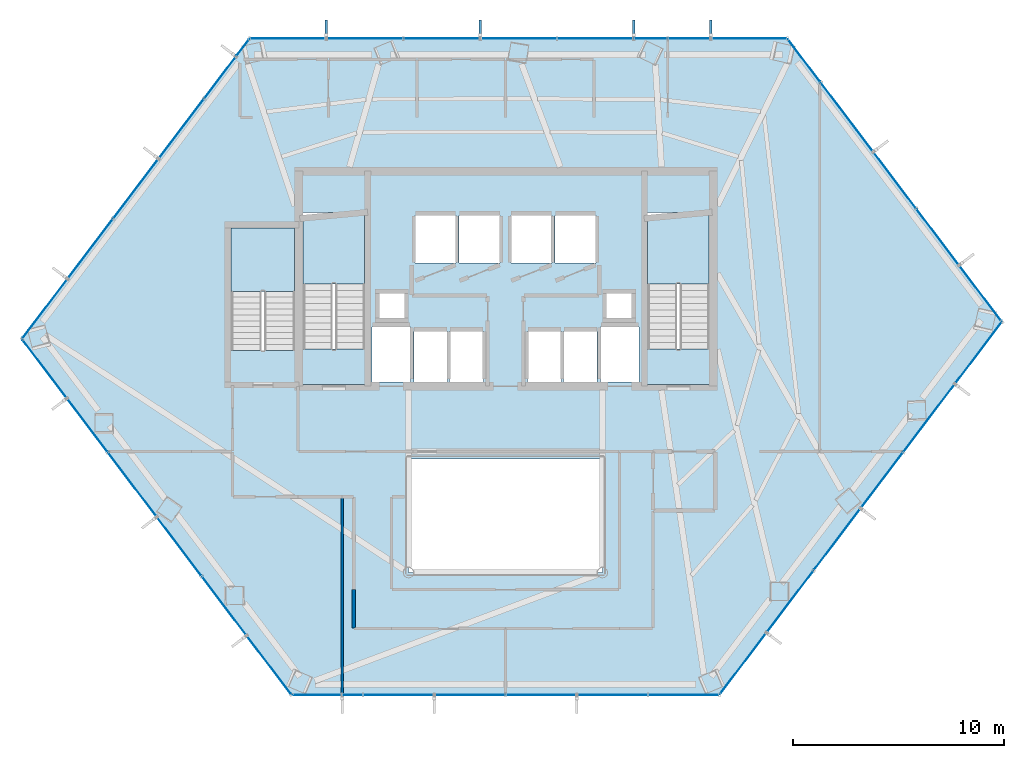
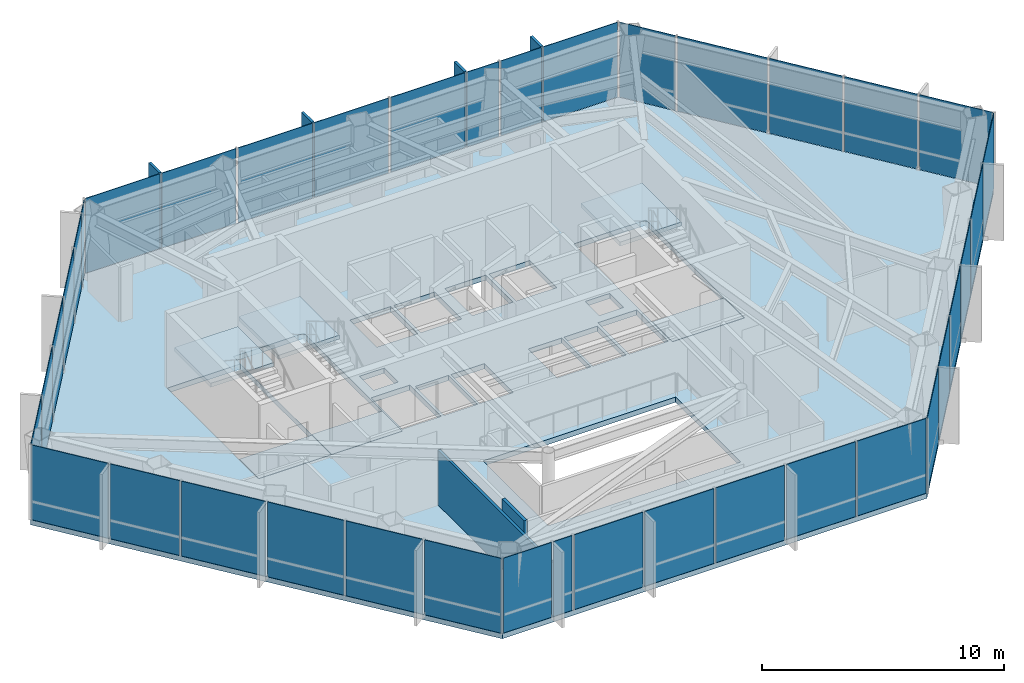
# One storey, part 23 of 27: 38 plates, 7 slabs, 4 members, 2 walls, 9 elements without a shape of their own.
"""IFC4 building model written with IfcOpenShell, lengths in metres."""

from ifc_helpers import new_model, si_unit, direction, frame, frame_2d, origin, origin_2d, place, context, subcontext, project, spatial, polyline, rectangle, outline, extrude, material, layer, layer_set, material_profile, profile_set, type_object, element, aggregate, save


model = new_model("IFC4")

# Units and contexts
model_context = context("Model", 3, precision=1e-05, world=origin(), true_north=direction((0.0, 1.0)))
body_context = subcontext(model_context, "Body", "Model", "MODEL_VIEW")
ifc_project = project(units=[si_unit("LENGTHUNIT", "METRE"), si_unit("AREAUNIT", "SQUARE_METRE"), si_unit("VOLUMEUNIT", "CUBIC_METRE"), si_unit("PLANEANGLEUNIT", "RADIAN"), si_unit("MASSUNIT", "GRAM", prefix="KILO")], contexts=[model_context])

# Site, building, storey
site_placement = place(None, origin())
site = spatial("IfcSite", under=ifc_project, at=site_placement, CompositionType="ELEMENT")
building_placement = place(site_placement, origin())
building = spatial("IfcBuilding", under=site, at=building_placement, Name="Zarrinselat Tower", CompositionType="ELEMENT")
storey_placement = place(building_placement, frame((0.0, 0.0, 80.580078125)))
storey = spatial("IfcBuildingStorey", under=building, at=storey_placement, Name="L19", CompositionType="ELEMENT", Elevation=80.580078125)

# Curtain wall, members, plates
ifc_material_1 = material(Name="Extruded Aluminium Alloy EN AW-6063 T6", Category="aluminium")
ifc_layer_1 = layer(ifc_material_1, 0.18505859375)
ifc_layer_set_1 = layer_set([ifc_layer_1], Name="Extruded Aluminium Alloy EN AW-6063 T6")
curtain_wall_type = type_object("IfcCurtainWallType", Name="CWS-OFF", PredefinedType="NOTDEFINED", material=ifc_layer_set_1)
curtain_wall_1_placement = place(storey_placement, origin())
curtain_wall_1 = element("IfcCurtainWall", 1, at=curtain_wall_1_placement, inside=storey, type_object=curtain_wall_type, Name="L19 Unitised Curtain Wall CW-L19-E01", PredefinedType="NOTDEFINED")
ifc_material_2 = material(Name="Honed Cream Travertine Stone", Category="masonry")
ifc_material_profile = material_profile(ifc_material_2, rectangle(XDim=0.1201171875, YDim=0.85009765625, at=origin_2d()), Name="FIN 850x120")
ifc_profile_set = profile_set([ifc_material_profile], Name="Honed Cream Travertine Stone")
member_type = type_object("IfcMemberType", Name="MEM-STONE-FIN", PredefinedType="USERDEFINED", material=ifc_profile_set)
member_1_placement = place(storey_placement, frame((48.130859375, 50.193359375, 0.0), z_axis=(0.0, 0.0, 1.0), x_axis=(1.0, 0.0, 0.0)))
member_1 = element("IfcMember", 2, at=member_1_placement, type_object=member_type, Name="L19 Stone Shading Fin CW-L19-E01-01", ObjectType="FIN", PredefinedType="USERDEFINED", context=body_context, shape_type="SweptSolid", body=[
    extrude(rectangle(XDim=0.1201171875, YDim=0.85009765625, at=origin_2d()), origin(), (0.0, 0.0, 1.0), 3.81982421875),
])
member_2_placement = place(storey_placement, frame((44.4853515625, 50.193359375, 0.0), z_axis=(0.0, 0.0, 1.0), x_axis=(1.0, 0.0, 0.0)))
member_2 = element("IfcMember", 3, at=member_2_placement, type_object=member_type, Name="L19 Stone Shading Fin CW-L19-E01-03", ObjectType="FIN", PredefinedType="USERDEFINED", context=body_context, shape_type="SweptSolid", body=[
    extrude(rectangle(XDim=0.1201171875, YDim=0.85009765625, at=origin_2d()), origin(), (0.0, 0.0, 1.0), 3.81982421875),
])
member_3_placement = place(storey_placement, frame((37.194580078125, 50.193359375, 0.0), z_axis=(0.0, 0.0, 1.0), x_axis=(1.0, 0.0, 0.0)))
member_3 = element("IfcMember", 4, at=member_3_placement, type_object=member_type, Name="L19 Stone Shading Fin CW-L19-E01-05", ObjectType="FIN", PredefinedType="USERDEFINED", context=body_context, shape_type="SweptSolid", body=[
    extrude(rectangle(XDim=0.1201171875, YDim=0.85009765625, at=origin_2d()), origin(), (0.0, 0.0, 1.0), 3.81982421875),
])
member_4_placement = place(storey_placement, frame((29.903564453125, 50.193359375, 0.0), z_axis=(0.0, 0.0, 1.0), x_axis=(1.0, 0.0, 0.0)))
member_4 = element("IfcMember", 5, at=member_4_placement, type_object=member_type, Name="L19 Stone Shading Fin CW-L19-E01-07", ObjectType="FIN", PredefinedType="USERDEFINED", context=body_context, shape_type="SweptSolid", body=[
    extrude(rectangle(XDim=0.1201171875, YDim=0.85009765625, at=origin_2d()), origin(), (0.0, 0.0, 1.0), 3.81982421875),
])
ifc_material_3 = material(Name="Double Low-E Laminated Solar Glass", Category="glass")
ifc_layer_2 = layer(ifc_material_3, 0.031982421875)
ifc_layer_set_2 = layer_set([ifc_layer_2], Name="Double Low-E Laminated Solar Glass")
plate_type = type_object("IfcPlateType", Name="PLT-CW-GL32", PredefinedType="CURTAIN_PANEL", material=ifc_layer_set_2)
plate_1_placement = place(storey_placement, frame((49.95361328125, 49.7333984375, 0.02001953125), z_axis=(0.0, 0.0, 1.0), x_axis=(-1.0, 0.0, 0.0)))
plate_1 = element("IfcPlate", 6, at=plate_1_placement, type_object=plate_type, Name="CW-L19-E01 Vision Glass Panel 1", PredefinedType="CURTAIN_PANEL", context=body_context, shape_type="SweptSolid", body=[
    extrude(rectangle(XDim=3.54541015625, YDim=0.031982421875, at=origin_2d()), origin(), (0.0, 0.0, 1.0), 3.780029296875),
])
plate_2_placement = place(storey_placement, frame((47.115478515625, 49.7333984375, 0.02001953125), z_axis=(0.0, 0.0, 1.0), x_axis=(-1.0, 0.0, 0.0)))
plate_2 = element("IfcPlate", 7, at=plate_2_placement, type_object=plate_type, Name="CW-L19-E01 Vision Glass Panel 2", PredefinedType="CURTAIN_PANEL", context=body_context, shape_type="SweptSolid", body=[
    extrude(rectangle(XDim=1.930908203125, YDim=0.031982421875, at=origin_2d()), origin(), (0.0, 0.0, 1.0), 3.780029296875),
])
plate_3_placement = place(storey_placement, frame((45.292724609375, 49.7333984375, 0.02001953125), z_axis=(0.0, 0.0, 1.0), x_axis=(-1.0, 0.0, 0.0)))
plate_3 = element("IfcPlate", 8, at=plate_3_placement, type_object=plate_type, Name="CW-L19-E01 Vision Glass Panel 3", PredefinedType="CURTAIN_PANEL", context=body_context, shape_type="SweptSolid", body=[
    extrude(rectangle(XDim=1.5146484375, YDim=0.031982421875, at=origin_2d()), origin(), (0.0, 0.0, 1.0), 3.780029296875),
])
plate_4_placement = place(storey_placement, frame((42.66259765625, 49.7333984375, 0.02001953125), z_axis=(0.0, 0.0, 1.0), x_axis=(-1.0, 0.0, 0.0)))
plate_4 = element("IfcPlate", 9, at=plate_4_placement, type_object=plate_type, Name="CW-L19-E01 Vision Glass Panel 4", PredefinedType="CURTAIN_PANEL", context=body_context, shape_type="SweptSolid", body=[
    extrude(rectangle(XDim=3.54541015625, YDim=0.031982421875, at=origin_2d()), origin(), (0.0, 0.0, 1.0), 3.780029296875),
])
plate_5_placement = place(storey_placement, frame((39.01708984375, 49.7333984375, 0.02001953125), z_axis=(0.0, 0.0, 1.0), x_axis=(-1.0, 0.0, 0.0)))
plate_5 = element("IfcPlate", 10, at=plate_5_placement, type_object=plate_type, Name="CW-L19-E01 Vision Glass Panel 5", PredefinedType="CURTAIN_PANEL", context=body_context, shape_type="SweptSolid", body=[
    extrude(rectangle(XDim=3.54541015625, YDim=0.031982421875, at=origin_2d()), origin(), (0.0, 0.0, 1.0), 3.780029296875),
])
plate_6_placement = place(storey_placement, frame((35.371826171875, 49.7333984375, 0.02001953125), z_axis=(0.0, 0.0, 1.0), x_axis=(-1.0, 0.0, 0.0)))
plate_6 = element("IfcPlate", 11, at=plate_6_placement, type_object=plate_type, Name="CW-L19-E01 Vision Glass Panel 6", PredefinedType="CURTAIN_PANEL", context=body_context, shape_type="SweptSolid", body=[
    extrude(rectangle(XDim=3.54541015625, YDim=0.031982421875, at=origin_2d()), origin(), (0.0, 0.0, 1.0), 3.780029296875),
])
plate_7_placement = place(storey_placement, frame((31.726318359375, 49.7333984375, 0.02001953125), z_axis=(0.0, 0.0, 1.0), x_axis=(-1.0, 0.0, 0.0)))
plate_7 = element("IfcPlate", 12, at=plate_7_placement, type_object=plate_type, Name="CW-L19-E01 Vision Glass Panel 7", PredefinedType="CURTAIN_PANEL", context=body_context, shape_type="SweptSolid", body=[
    extrude(rectangle(XDim=3.54541015625, YDim=0.031982421875, at=origin_2d()), origin(), (0.0, 0.0, 1.0), 3.780029296875),
])
plate_8_placement = place(storey_placement, frame((28.080810546875, 49.7333984375, 0.02001953125), z_axis=(0.0, 0.0, 1.0), x_axis=(-1.0, 0.0, 0.0)))
plate_8 = element("IfcPlate", 13, at=plate_8_placement, type_object=plate_type, Name="CW-L19-E01 Vision Glass Panel 8", PredefinedType="CURTAIN_PANEL", context=body_context, shape_type="SweptSolid", body=[
    extrude(rectangle(XDim=3.54541015625, YDim=0.031982421875, at=origin_2d()), origin(), (0.0, 0.0, 1.0), 3.780029296875),
])
aggregate(curtain_wall_1, [member_1, member_2, member_3, member_4, plate_1, plate_2, plate_3, plate_4, plate_5, plate_6, plate_7, plate_8])

# Curtain wall, plates
curtain_wall_2_placement = place(storey_placement, origin())
curtain_wall_2 = element("IfcCurtainWall", 14, at=curtain_wall_2_placement, inside=storey, type_object=curtain_wall_type, Name="L19 Unitised Curtain Wall CW-L19-E02", PredefinedType="NOTDEFINED")
plate_9_placement = place(storey_placement, frame((25.93798828125, 49.310791015625, 0.02001953125), z_axis=(0.0, 0.0, 1.0), x_axis=(-0.60385671849, -0.797092882627, 0.0)))
plate_9 = element("IfcPlate", 15, at=plate_9_placement, type_object=plate_type, Name="CW-L19-E02 Vision Glass Panel 1", PredefinedType="CURTAIN_PANEL", context=body_context, shape_type="SweptSolid", body=[
    extrude(rectangle(XDim=0.96044921875, YDim=0.031982421875, at=origin_2d()), origin(), (0.0, 0.0, 1.0), 3.780029296875),
])
plate_10_placement = place(storey_placement, frame((24.858642578125, 47.885986328125, 0.02001953125), z_axis=(0.0, 0.0, 1.0), x_axis=(-0.60385671849, -0.797092882627, 0.0)))
plate_10 = element("IfcPlate", 16, at=plate_10_placement, type_object=plate_type, Name="CW-L19-E02 Vision Glass Panel 2", PredefinedType="CURTAIN_PANEL", context=body_context, shape_type="SweptSolid", body=[
    extrude(rectangle(XDim=2.4140625, YDim=0.031982421875, at=origin_2d()), origin(), (0.0, 0.0, 1.0), 3.780029296875),
])
plate_11_placement = place(storey_placement, frame((23.0205078125, 45.45947265625, 0.02001953125), z_axis=(0.0, 0.0, 1.0), x_axis=(-0.60385671849, -0.797092882627, 0.0)))
plate_11 = element("IfcPlate", 17, at=plate_11_placement, type_object=plate_type, Name="CW-L19-E02 Vision Glass Panel 3", PredefinedType="CURTAIN_PANEL", context=body_context, shape_type="SweptSolid", body=[
    extrude(rectangle(XDim=3.474609375, YDim=0.031982421875, at=origin_2d()), origin(), (0.0, 0.0, 1.0), 3.780029296875),
])
plate_12_placement = place(storey_placement, frame((20.86181640625, 42.610107421875, 0.02001953125), z_axis=(0.0, 0.0, 1.0), x_axis=(-0.60385671849, -0.797092882627, 0.0)))
plate_12 = element("IfcPlate", 18, at=plate_12_placement, type_object=plate_type, Name="CW-L19-E02 Vision Glass Panel 4", PredefinedType="CURTAIN_PANEL", context=body_context, shape_type="SweptSolid", body=[
    extrude(rectangle(XDim=3.474609375, YDim=0.031982421875, at=origin_2d()), origin(), (0.0, 0.0, 1.0), 3.780029296875),
])
plate_13_placement = place(storey_placement, frame((18.703369140625, 39.7607421875, 0.02001953125), z_axis=(0.0, 0.0, 1.0), x_axis=(-0.60385671849, -0.797092882627, 0.0)))
plate_13 = element("IfcPlate", 19, at=plate_13_placement, type_object=plate_type, Name="CW-L19-E02 Vision Glass Panel 5", PredefinedType="CURTAIN_PANEL", context=body_context, shape_type="SweptSolid", body=[
    extrude(rectangle(XDim=3.474609375, YDim=0.031982421875, at=origin_2d()), origin(), (0.0, 0.0, 1.0), 3.780029296875),
])
plate_14_placement = place(storey_placement, frame((16.544921875, 36.91162109375, 0.02001953125), z_axis=(0.0, 0.0, 1.0), x_axis=(-0.60385671849, -0.797092882627, 0.0)))
plate_14 = element("IfcPlate", 20, at=plate_14_placement, type_object=plate_type, Name="CW-L19-E02 Vision Glass Panel 6", PredefinedType="CURTAIN_PANEL", context=body_context, shape_type="SweptSolid", body=[
    extrude(rectangle(XDim=3.474609375, YDim=0.031982421875, at=origin_2d()), origin(), (0.0, 0.0, 1.0), 3.780029296875),
])
aggregate(curtain_wall_2, [plate_9, plate_10, plate_11, plate_12, plate_13, plate_14])

curtain_wall_3_placement = place(storey_placement, origin())
curtain_wall_3 = element("IfcCurtainWall", 21, at=curtain_wall_3_placement, inside=storey, type_object=curtain_wall_type, Name="L19 Unitised Curtain Wall CW-L19-E03", PredefinedType="NOTDEFINED")
plate_15_placement = place(storey_placement, frame((16.53125, 34.080078125, 0.02001953125), z_axis=(0.0, 0.0, 1.0), x_axis=(0.603854869931, -0.797094283044, 0.0)))
plate_15 = element("IfcPlate", 22, at=plate_15_placement, type_object=plate_type, Name="CW-L19-E03 Vision Glass Panel 1", PredefinedType="CURTAIN_PANEL", context=body_context, shape_type="SweptSolid", body=[
    extrude(rectangle(XDim=3.429931640625, YDim=0.031982421875, at=origin_2d()), origin(), (0.0, 0.0, 1.0), 3.780029296875),
])
plate_16_placement = place(storey_placement, frame((18.56640625, 31.3935546875, 0.02001953125), z_axis=(0.0, 0.0, 1.0), x_axis=(0.603854869931, -0.797094283044, 0.0)))
plate_16 = element("IfcPlate", 23, at=plate_16_placement, type_object=plate_type, Name="CW-L19-E03 Vision Glass Panel 2", PredefinedType="CURTAIN_PANEL", context=body_context, shape_type="SweptSolid", body=[
    extrude(rectangle(XDim=3.111083984375, YDim=0.031982421875, at=origin_2d()), origin(), (0.0, 0.0, 1.0), 3.780029296875),
])
plate_17_placement = place(storey_placement, frame((20.697998046875, 28.579833984375, 0.02001953125), z_axis=(0.0, 0.0, 1.0), x_axis=(0.603854869931, -0.797094283044, 0.0)))
plate_17 = element("IfcPlate", 24, at=plate_17_placement, type_object=plate_type, Name="CW-L19-E03 Vision Glass Panel 3", PredefinedType="CURTAIN_PANEL", context=body_context, shape_type="SweptSolid", body=[
    extrude(rectangle(XDim=3.748779296875, YDim=0.031982421875, at=origin_2d()), origin(), (0.0, 0.0, 1.0), 3.780029296875),
])
plate_18_placement = place(storey_placement, frame((22.92578125, 25.63916015625, 0.02001953125), z_axis=(0.0, 0.0, 1.0), x_axis=(0.603854869931, -0.797094283044, 0.0)))
plate_18 = element("IfcPlate", 25, at=plate_18_placement, type_object=plate_type, Name="CW-L19-E03 Vision Glass Panel 4", PredefinedType="CURTAIN_PANEL", context=body_context, shape_type="SweptSolid", body=[
    extrude(rectangle(XDim=3.429931640625, YDim=0.031982421875, at=origin_2d()), origin(), (0.0, 0.0, 1.0), 3.780029296875),
])
plate_19_placement = place(storey_placement, frame((25.0576171875, 22.825439453125, 0.02001953125), z_axis=(0.0, 0.0, 1.0), x_axis=(0.603854869931, -0.797094283044, 0.0)))
plate_19 = element("IfcPlate", 26, at=plate_19_placement, type_object=plate_type, Name="CW-L19-E03 Vision Glass Panel 5", PredefinedType="CURTAIN_PANEL", context=body_context, shape_type="SweptSolid", body=[
    extrude(rectangle(XDim=3.429931640625, YDim=0.031982421875, at=origin_2d()), origin(), (0.0, 0.0, 1.0), 3.780029296875),
])
plate_20_placement = place(storey_placement, frame((27.18896484375, 20.01171875, 0.02001953125), z_axis=(0.0, 0.0, 1.0), x_axis=(0.603854869931, -0.797094283044, 0.0)))
plate_20 = element("IfcPlate", 27, at=plate_20_placement, type_object=plate_type, Name="CW-L19-E03 Vision Glass Panel 6", PredefinedType="CURTAIN_PANEL", context=body_context, shape_type="SweptSolid", body=[
    extrude(rectangle(XDim=3.429931640625, YDim=0.031982421875, at=origin_2d()), origin(), (0.0, 0.0, 1.0), 3.780029296875),
])
aggregate(curtain_wall_3, [plate_15, plate_16, plate_17, plate_18, plate_19, plate_20])

curtain_wall_4_placement = place(storey_placement, origin())
curtain_wall_4 = element("IfcCurtainWall", 28, at=curtain_wall_4_placement, inside=storey, type_object=curtain_wall_type, Name="L19 Unitised Curtain Wall CW-L19-E04", PredefinedType="NOTDEFINED")
plate_21_placement = place(storey_placement, frame((29.452392578125, 18.60498046875, 0.02001953125), z_axis=(0.0, 0.0, 1.0), x_axis=(1.0, 0.0, 0.0)))
plate_21 = element("IfcPlate", 29, at=plate_21_placement, type_object=plate_type, Name="CW-L19-E04 Vision Glass Panel 1", PredefinedType="CURTAIN_PANEL", context=body_context, shape_type="SweptSolid", body=[
    extrude(rectangle(XDim=2.295166015625, YDim=0.031982421875, at=origin_2d()), origin(), (0.0, 0.0, 1.0), 3.780029296875),
])
plate_22_placement = place(storey_placement, frame((31.143310546875, 18.60498046875, 0.02001953125), z_axis=(0.0, 0.0, 1.0), x_axis=(1.0, 0.0, 0.0)))
plate_22 = element("IfcPlate", 30, at=plate_22_placement, type_object=plate_type, Name="CW-L19-E04 Vision Glass Panel 2", PredefinedType="CURTAIN_PANEL", context=body_context, shape_type="SweptSolid", body=[
    extrude(rectangle(XDim=0.886474609375, YDim=0.031982421875, at=origin_2d()), origin(), (0.0, 0.0, 1.0), 3.780029296875),
])
plate_23_placement = place(storey_placement, frame((33.327392578125, 18.60498046875, 0.02001953125), z_axis=(0.0, 0.0, 1.0), x_axis=(1.0, 0.0, 0.0)))
plate_23 = element("IfcPlate", 31, at=plate_23_placement, type_object=plate_type, Name="CW-L19-E04 Vision Glass Panel 3", PredefinedType="CURTAIN_PANEL", context=body_context, shape_type="SweptSolid", body=[
    extrude(rectangle(XDim=3.28173828125, YDim=0.031982421875, at=origin_2d()), origin(), (0.0, 0.0, 1.0), 3.780029296875),
])
plate_24_placement = place(storey_placement, frame((36.708984375, 18.60498046875, 0.02001953125), z_axis=(0.0, 0.0, 1.0), x_axis=(1.0, 0.0, 0.0)))
plate_24 = element("IfcPlate", 32, at=plate_24_placement, type_object=plate_type, Name="CW-L19-E04 Vision Glass Panel 4", PredefinedType="CURTAIN_PANEL", context=body_context, shape_type="SweptSolid", body=[
    extrude(rectangle(XDim=3.28173828125, YDim=0.031982421875, at=origin_2d()), origin(), (0.0, 0.0, 1.0), 3.780029296875),
])
plate_25_placement = place(storey_placement, frame((40.0908203125, 18.60498046875, 0.02001953125), z_axis=(0.0, 0.0, 1.0), x_axis=(1.0, 0.0, 0.0)))
plate_25 = element("IfcPlate", 33, at=plate_25_placement, type_object=plate_type, Name="CW-L19-E04 Vision Glass Panel 5", PredefinedType="CURTAIN_PANEL", context=body_context, shape_type="SweptSolid", body=[
    extrude(rectangle(XDim=3.28173828125, YDim=0.031982421875, at=origin_2d()), origin(), (0.0, 0.0, 1.0), 3.780029296875),
])
plate_26_placement = place(storey_placement, frame((43.47265625, 18.60498046875, 0.02001953125), z_axis=(0.0, 0.0, 1.0), x_axis=(1.0, 0.0, 0.0)))
plate_26 = element("IfcPlate", 34, at=plate_26_placement, type_object=plate_type, Name="CW-L19-E04 Vision Glass Panel 6", PredefinedType="CURTAIN_PANEL", context=body_context, shape_type="SweptSolid", body=[
    extrude(rectangle(XDim=3.28173828125, YDim=0.031982421875, at=origin_2d()), origin(), (0.0, 0.0, 1.0), 3.780029296875),
])
plate_27_placement = place(storey_placement, frame((46.854248046875, 18.60498046875, 0.02001953125), z_axis=(0.0, 0.0, 1.0), x_axis=(1.0, 0.0, 0.0)))
plate_27 = element("IfcPlate", 35, at=plate_27_placement, type_object=plate_type, Name="CW-L19-E04 Vision Glass Panel 7", PredefinedType="CURTAIN_PANEL", context=body_context, shape_type="SweptSolid", body=[
    extrude(rectangle(XDim=3.28173828125, YDim=0.031982421875, at=origin_2d()), origin(), (0.0, 0.0, 1.0), 3.780029296875),
])
aggregate(curtain_wall_4, [plate_21, plate_22, plate_23, plate_24, plate_25, plate_26, plate_27])

curtain_wall_5_placement = place(storey_placement, origin())
curtain_wall_5 = element("IfcCurtainWall", 36, at=curtain_wall_5_placement, inside=storey, type_object=curtain_wall_type, Name="L19 Unitised Curtain Wall CW-L19-E05", PredefinedType="NOTDEFINED")
plate_28_placement = place(storey_placement, frame((49.662353515625, 20.07958984375, 0.02001953125), z_axis=(0.0, 0.0, 1.0), x_axis=(0.603855086386, 0.797094119063, 0.0)))
plate_28 = element("IfcPlate", 37, at=plate_28_placement, type_object=plate_type, Name="CW-L19-E05 Vision Glass Panel 1", PredefinedType="CURTAIN_PANEL", context=body_context, shape_type="SweptSolid", body=[
    extrude(rectangle(XDim=3.600341796875, YDim=0.031982421875, at=origin_2d()), origin(), (0.0, 0.0, 1.0), 3.780029296875),
])
plate_29_placement = place(storey_placement, frame((51.896728515625, 23.029052734375, 0.02001953125), z_axis=(0.0, 0.0, 1.0), x_axis=(0.603855086386, 0.797094119063, 0.0)))
plate_29 = element("IfcPlate", 38, at=plate_29_placement, type_object=plate_type, Name="CW-L19-E05 Vision Glass Panel 2", PredefinedType="CURTAIN_PANEL", context=body_context, shape_type="SweptSolid", body=[
    extrude(rectangle(XDim=3.600341796875, YDim=0.031982421875, at=origin_2d()), origin(), (0.0, 0.0, 1.0), 3.780029296875),
])
plate_30_placement = place(storey_placement, frame((54.131103515625, 25.978515625, 0.02001953125), z_axis=(0.0, 0.0, 1.0), x_axis=(0.603855086386, 0.797094119063, 0.0)))
plate_30 = element("IfcPlate", 39, at=plate_30_placement, type_object=plate_type, Name="CW-L19-E05 Vision Glass Panel 3", PredefinedType="CURTAIN_PANEL", context=body_context, shape_type="SweptSolid", body=[
    extrude(rectangle(XDim=3.600341796875, YDim=0.031982421875, at=origin_2d()), origin(), (0.0, 0.0, 1.0), 3.780029296875),
])
plate_31_placement = place(storey_placement, frame((56.256103515625, 28.783447265625, 0.02001953125), z_axis=(0.0, 0.0, 1.0), x_axis=(0.603855086386, 0.797094119063, 0.0)))
plate_31 = element("IfcPlate", 40, at=plate_31_placement, type_object=plate_type, Name="CW-L19-E05 Vision Glass Panel 4", PredefinedType="CURTAIN_PANEL", context=body_context, shape_type="SweptSolid", body=[
    extrude(rectangle(XDim=3.23779296875, YDim=0.031982421875, at=origin_2d()), origin(), (0.0, 0.0, 1.0), 3.780029296875),
])
plate_32_placement = place(storey_placement, frame((58.490478515625, 31.73291015625, 0.02001953125), z_axis=(0.0, 0.0, 1.0), x_axis=(0.603855086386, 0.797094119063, 0.0)))
plate_32 = element("IfcPlate", 41, at=plate_32_placement, type_object=plate_type, Name="CW-L19-E05 Vision Glass Panel 5", PredefinedType="CURTAIN_PANEL", context=body_context, shape_type="SweptSolid", body=[
    extrude(rectangle(XDim=3.962646484375, YDim=0.031982421875, at=origin_2d()), origin(), (0.0, 0.0, 1.0), 3.780029296875),
])
plate_33_placement = place(storey_placement, frame((60.83447265625, 34.826904296875, 0.02001953125), z_axis=(0.0, 0.0, 1.0), x_axis=(0.603855086386, 0.797094119063, 0.0)))
plate_33 = element("IfcPlate", 42, at=plate_33_placement, type_object=plate_type, Name="CW-L19-E05 Vision Glass Panel 6", PredefinedType="CURTAIN_PANEL", context=body_context, shape_type="SweptSolid", body=[
    extrude(rectangle(XDim=3.600341796875, YDim=0.031982421875, at=origin_2d()), origin(), (0.0, 0.0, 1.0), 3.780029296875),
])
aggregate(curtain_wall_5, [plate_28, plate_29, plate_30, plate_31, plate_32, plate_33])

curtain_wall_6_placement = place(storey_placement, origin())
curtain_wall_6 = element("IfcCurtainWall", 43, at=curtain_wall_6_placement, inside=storey, type_object=curtain_wall_type, Name="L19 Unitised Curtain Wall CW-L19-E06", PredefinedType="NOTDEFINED")
plate_34_placement = place(storey_placement, frame((60.93408203125, 37.644775390625, 0.02001953125), z_axis=(0.0, 0.0, 1.0), x_axis=(-0.603856545426, 0.797093013736, 0.0)))
plate_34 = element("IfcPlate", 44, at=plate_34_placement, type_object=plate_type, Name="CW-L19-E06 Vision Glass Panel 1", PredefinedType="CURTAIN_PANEL", context=body_context, shape_type="SweptSolid", body=[
    extrude(rectangle(XDim=3.270263671875, YDim=0.031982421875, at=origin_2d()), origin(), (0.0, 0.0, 1.0), 3.780029296875),
])
plate_35_placement = place(storey_placement, frame((58.899169921875, 40.3310546875, 0.02001953125), z_axis=(0.0, 0.0, 1.0), x_axis=(-0.603856545426, 0.797093013736, 0.0)))
plate_35 = element("IfcPlate", 45, at=plate_35_placement, type_object=plate_type, Name="CW-L19-E06 Vision Glass Panel 2", PredefinedType="CURTAIN_PANEL", context=body_context, shape_type="SweptSolid", body=[
    extrude(rectangle(XDim=3.270263671875, YDim=0.031982421875, at=origin_2d()), origin(), (0.0, 0.0, 1.0), 3.780029296875),
])
plate_36_placement = place(storey_placement, frame((56.864013671875, 43.017333984375, 0.02001953125), z_axis=(0.0, 0.0, 1.0), x_axis=(-0.603856545426, 0.797093013736, 0.0)))
plate_36 = element("IfcPlate", 46, at=plate_36_placement, type_object=plate_type, Name="CW-L19-E06 Vision Glass Panel 3", PredefinedType="CURTAIN_PANEL", context=body_context, shape_type="SweptSolid", body=[
    extrude(rectangle(XDim=3.270263671875, YDim=0.031982421875, at=origin_2d()), origin(), (0.0, 0.0, 1.0), 3.780029296875),
])
plate_37_placement = place(storey_placement, frame((54.59716796875, 46.009765625, 0.02001953125), z_axis=(0.0, 0.0, 1.0), x_axis=(-0.603856545426, 0.797093013736, 0.0)))
plate_37 = element("IfcPlate", 47, at=plate_37_placement, type_object=plate_type, Name="CW-L19-E06 Vision Glass Panel 4", PredefinedType="CURTAIN_PANEL", context=body_context, shape_type="SweptSolid", body=[
    extrude(rectangle(XDim=4.03759765625, YDim=0.031982421875, at=origin_2d()), origin(), (0.0, 0.0, 1.0), 3.780029296875),
])
plate_38_placement = place(storey_placement, frame((52.56201171875, 48.696044921875, 0.02001953125), z_axis=(0.0, 0.0, 1.0), x_axis=(-0.603856545426, 0.797093013736, 0.0)))
plate_38 = element("IfcPlate", 48, at=plate_38_placement, type_object=plate_type, Name="CW-L19-E06 Vision Glass Panel 5", PredefinedType="CURTAIN_PANEL", context=body_context, shape_type="SweptSolid", body=[
    extrude(rectangle(XDim=2.502685546875, YDim=0.031982421875, at=origin_2d()), origin(), (0.0, 0.0, 1.0), 3.780029296875),
])
aggregate(curtain_wall_6, [plate_34, plate_35, plate_36, plate_37, plate_38])

# Slabs
ifc_material_4 = material(Name="Concrete C40/50", Category="concrete")
ifc_layer_3 = layer(ifc_material_4, 0.260009765625)
ifc_layer_set_3 = layer_set([ifc_layer_3], Name="Concrete C40/50")
slab_type_1 = type_object("IfcSlabType", Name="SLB-FLOOR-260-SL-OF260", PredefinedType="FLOOR", material=ifc_layer_set_3)
slab_1_placement = place(storey_placement, frame((0.0, 0.0, -0.260009765625)))
element("IfcSlab", 49, at=slab_1_placement, inside=storey, type_object=slab_type_1, Name="L19 Primary Structural Slab", PredefinedType="FLOOR", context=body_context, shape_type="SweptSolid", body=[
    extrude(outline(polyline([(51.776123046875, 49.7333984375), (26.25830078125, 49.7333984375), (15.465576171875, 35.48681640625), (28.2548828125, 18.60498046875), (48.545166015625, 18.60498046875), (61.95166015625, 36.301513671875), (51.776123046875, 49.7333984375)]), holes=[polyline([(34.050048828125, 33.449951171875), (34.050048828125, 35.85009765625), (35.64990234375, 35.85009765625), (35.64990234375, 33.449951171875), (34.050048828125, 33.449951171875)]), polyline([(35.75, 33.449951171875), (35.75, 35.85009765625), (37.35009765625, 35.85009765625), (37.35009765625, 33.449951171875), (35.75, 33.449951171875)]), polyline([(32.06005859375, 33.449951171875), (32.06005859375, 36.050048828125), (33.89990234375, 36.050048828125), (33.89990234375, 33.449951171875), (32.06005859375, 33.449951171875)]), polyline([(32.419921875, 36.47998046875), (32.419921875, 37.639892578125), (33.60009765625, 37.639892578125), (33.60009765625, 36.47998046875), (32.419921875, 36.47998046875)]), polyline([(28.594970703125, 33.324951171875), (25.114990234375, 33.324951171875), (25.114990234375, 40.875), (28.594970703125, 40.875), (28.594970703125, 33.324951171875)]), polyline([(31.985107421875, 33.324951171875), (28.60498046875, 33.324951171875), (28.60498046875, 41.47509765625), (31.985107421875, 41.47509765625), (31.985107421875, 33.324951171875)]), polyline([(34.10009765625, 39.10009765625), (34.10009765625, 41.35009765625), (36.050048828125, 41.35009765625), (36.050048828125, 39.10009765625), (34.10009765625, 39.10009765625)]), polyline([(36.199951171875, 39.10009765625), (36.199951171875, 41.35009765625), (38.14990234375, 41.35009765625), (38.14990234375, 39.10009765625), (36.199951171875, 39.10009765625)]), polyline([(33.800048828125, 24.39990234375), (33.800048828125, 29.800048828125), (43.0, 29.800048828125), (43.0, 24.39990234375), (33.800048828125, 24.39990234375)]), polyline([(39.449951171875, 33.449951171875), (39.449951171875, 35.85009765625), (41.050048828125, 35.85009765625), (41.050048828125, 33.449951171875), (39.449951171875, 33.449951171875)]), polyline([(41.14990234375, 33.449951171875), (41.14990234375, 35.85009765625), (42.75, 35.85009765625), (42.75, 33.449951171875), (41.14990234375, 33.449951171875)]), polyline([(42.89990234375, 33.449951171875), (42.89990234375, 36.050048828125), (44.739990234375, 36.050048828125), (44.739990234375, 33.449951171875), (42.89990234375, 33.449951171875)]), polyline([(43.199951171875, 36.47998046875), (43.199951171875, 37.639892578125), (44.3798828125, 37.639892578125), (44.3798828125, 36.47998046875), (43.199951171875, 36.47998046875)]), polyline([(48.324951171875, 33.324951171875), (44.875, 33.324951171875), (44.875, 41.47509765625), (48.324951171875, 41.47509765625), (48.324951171875, 33.324951171875)]), polyline([(38.64990234375, 39.10009765625), (38.64990234375, 41.35009765625), (40.60009765625, 41.35009765625), (40.60009765625, 39.10009765625), (38.64990234375, 39.10009765625)]), polyline([(40.75, 39.10009765625), (40.75, 41.35009765625), (42.699951171875, 41.35009765625), (42.699951171875, 39.10009765625), (40.75, 39.10009765625)])]), origin(), (0.0, 0.0, 1.0), 0.260009765625),
])
slab_2_placement = place(storey_placement, frame((0.0, 0.0, -0.260009765625)))
element("IfcSlab", 50, at=slab_2_placement, inside=storey, type_object=slab_type_1, Name="L19 Stair ST-1-FL1 Structural Floor Landing", PredefinedType="FLOOR", context=body_context, shape_type="SweptSolid", body=[
    extrude(outline(polyline([(31.97998046875, 33.330078125), (31.97998046875, 35.0), (28.610107421875, 35.0), (28.610107421875, 33.330078125), (31.97998046875, 33.330078125)])), origin(), (0.0, 0.0, 1.0), 0.260009765625),
])
slab_3_placement = place(storey_placement, frame((0.0, 0.0, -0.260009765625)))
element("IfcSlab", 51, at=slab_3_placement, inside=storey, type_object=slab_type_1, Name="L19 Stair ST-2-FL1 Structural Floor Landing", PredefinedType="FLOOR", context=body_context, shape_type="SweptSolid", body=[
    extrude(outline(polyline([(48.320068359375, 33.330078125), (48.320068359375, 35.0), (44.8798828125, 35.0), (44.8798828125, 33.330078125), (48.320068359375, 33.330078125)])), origin(), (0.0, 0.0, 1.0), 0.260009765625),
])
slab_4_placement = place(storey_placement, frame((0.0, 0.0, -0.260009765625)))
element("IfcSlab", 52, at=slab_4_placement, inside=storey, type_object=slab_type_1, Name="L19 Stair ST-3-FL1 Structural Floor Landing", PredefinedType="FLOOR", context=body_context, shape_type="SweptSolid", body=[
    extrude(outline(polyline([(28.590087890625, 33.330078125), (28.590087890625, 34.949951171875), (25.1201171875, 34.949951171875), (25.1201171875, 33.330078125), (28.590087890625, 33.330078125)])), origin(), (0.0, 0.0, 1.0), 0.260009765625),
])

# Stair, slab
ifc_material_5 = material(Name="Concrete C40/50", Category="concrete")
stair_type_1 = type_object("IfcStairType", Name="STR-CORE-145", PredefinedType="HALF_TURN_STAIR", material=ifc_material_5)
stair_1_placement = place(storey_placement, origin())
stair_1 = element("IfcStair", 53, at=stair_1_placement, inside=storey, type_object=stair_type_1, Name="L19 Podium & Mid-Tower Exit Stair 3", PredefinedType="HALF_TURN_STAIR")
ifc_material_6 = material(Name="Concrete C40/50", Category="concrete")
ifc_layer_4 = layer(ifc_material_6, 0.1650390625)
ifc_layer_set_4 = layer_set([ifc_layer_4], Name="Concrete C40/50")
slab_type_2 = type_object("IfcSlabType", Name="SLB-LND-165", PredefinedType="LANDING", material=ifc_layer_set_4)
slab_5_placement = place(storey_placement, frame((0.0, 0.0, 1.83984375)))
slab_5 = element("IfcSlab", 54, at=slab_5_placement, type_object=slab_type_2, Name="ST-3 landing 1", PredefinedType="LANDING", context=body_context, shape_type="SweptSolid", body=[
    extrude(outline(polyline([(28.39990234375, 37.75), (28.39990234375, 40.75), (25.3798828125, 40.75), (25.3798828125, 37.75), (28.39990234375, 37.75)])), origin(), (0.0, 0.0, 1.0), 0.2001953125),
])
aggregate(stair_1, [slab_5])

ifc_material_7 = material(Name="Concrete C40/50", Category="concrete")
stair_type_2 = type_object("IfcStairType", Name="STR-CORE-155", PredefinedType="HALF_TURN_STAIR", material=ifc_material_7)
stair_2_placement = place(storey_placement, origin())
stair_2 = element("IfcStair", 55, at=stair_2_placement, inside=storey, type_object=stair_type_2, Name="L19 Core Exit Stair 1", PredefinedType="HALF_TURN_STAIR")
ifc_material_8 = material(Name="Concrete C40/50", Category="concrete")
ifc_layer_5 = layer(ifc_material_8, 0.18994140625)
ifc_layer_set_5 = layer_set([ifc_layer_5], Name="Concrete C40/50")
slab_type_3 = type_object("IfcSlabType", Name="SLB-LND-190", PredefinedType="LANDING", material=ifc_layer_set_5)
slab_6_placement = place(storey_placement, frame((0.0, 0.0, 1.83984375)))
slab_6 = element("IfcSlab", 56, at=slab_6_placement, type_object=slab_type_3, Name="ST-1 landing 1", PredefinedType="LANDING", context=body_context, shape_type="SweptSolid", body=[
    extrude(outline(polyline([(31.719970703125, 38.10009765625), (31.719970703125, 41.35009765625), (28.800048828125, 41.35009765625), (28.800048828125, 38.10009765625), (31.719970703125, 38.10009765625)])), origin(), (0.0, 0.0, 1.0), 0.2001953125),
])
aggregate(stair_2, [slab_6])

stair_3_placement = place(storey_placement, origin())
stair_3 = element("IfcStair", 57, at=stair_3_placement, inside=storey, type_object=stair_type_2, Name="L19 Core Exit Stair 2", PredefinedType="HALF_TURN_STAIR")
slab_7_placement = place(storey_placement, frame((0.0, 0.0, 1.83984375)))
slab_7 = element("IfcSlab", 58, at=slab_7_placement, type_object=slab_type_3, Name="ST-2 landing 1", PredefinedType="LANDING", context=body_context, shape_type="SweptSolid", body=[
    extrude(outline(polyline([(48.06005859375, 38.10009765625), (48.06005859375, 41.35009765625), (45.139892578125, 41.35009765625), (45.139892578125, 38.10009765625), (48.06005859375, 38.10009765625)])), origin(), (0.0, 0.0, 1.0), 0.2001953125),
])
aggregate(stair_3, [slab_7])

# Walls
ifc_material_9 = material(Name="Fire-Rated Gypsum Board Partition", Category="gypsum")
ifc_layer_6 = layer(ifc_material_9, 0.14990234375)
ifc_layer_set_6 = layer_set([ifc_layer_6], Name="Fire-Rated Gypsum Board Partition")
wall_type_1 = type_object("IfcWallType", Name="WAL-PART-EI60", PredefinedType="PARTITIONING", material=ifc_layer_set_6)
wall_1_placement = place(storey_placement, frame((31.199951171875, 21.77001953125, 0.0), z_axis=(0.0, 0.0, 1.0), x_axis=(0.0, 1.0, 0.0)))
element("IfcWall", 59, at=wall_1_placement, inside=storey, type_object=wall_type_1, Name="L19 Partition Wall 17", PredefinedType="PARTITIONING", context=body_context, shape_type="SweptSolid", body=[
    extrude(rectangle(XDim=1.830078125, YDim=0.14990234375, at=frame_2d((0.9150390625, 0.0))), origin(), (0.0, 0.0, 1.0), 2.77685546875),
])
ifc_material_10 = material(Name="Fire-Rated Gypsum Board Partition", Category="gypsum")
ifc_layer_7 = layer(ifc_material_10, 0.1201171875)
ifc_layer_set_7 = layer_set([ifc_layer_7], Name="Fire-Rated Gypsum Board Partition")
wall_type_2 = type_object("IfcWallType", Name="WAL-PART-STD", PredefinedType="PARTITIONING", material=ifc_layer_set_7)
wall_2_placement = place(storey_placement, frame((30.64990234375, 18.619873046875, 0.0), z_axis=(0.0, 0.0, 1.0), x_axis=(0.0, 1.0, 0.0)))
element("IfcWall", 60, at=wall_2_placement, inside=storey, type_object=wall_type_2, Name="L19 Partition Wall 43", PredefinedType="PARTITIONING", context=body_context, shape_type="SweptSolid", body=[
    extrude(rectangle(XDim=9.360107421875, YDim=0.1201171875, at=frame_2d((4.68017578125, 0.0))), origin(), (0.0, 0.0, 1.0), 2.77685546875),
])

save(model, "model.ifc")
